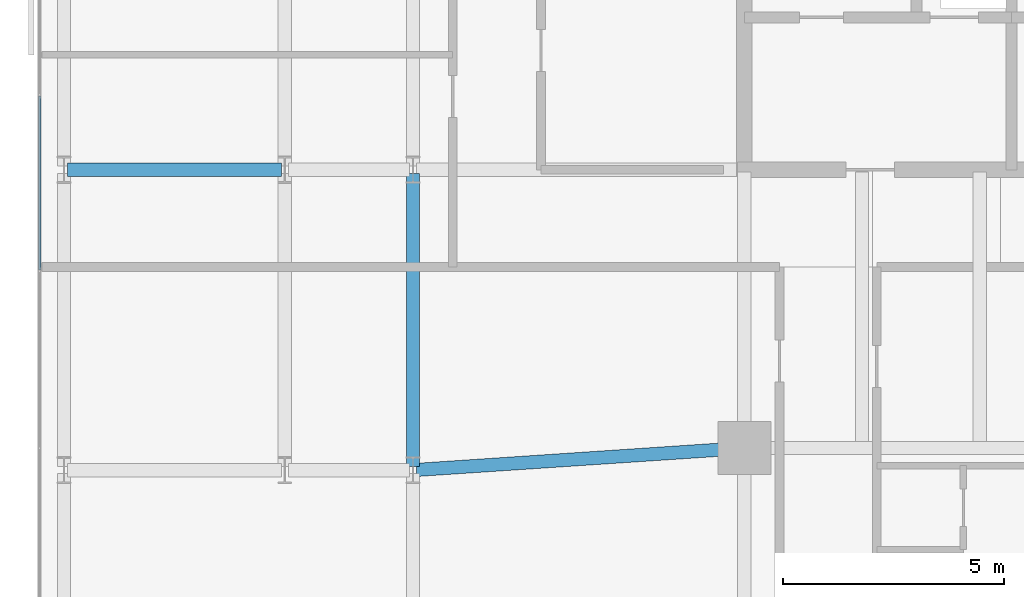
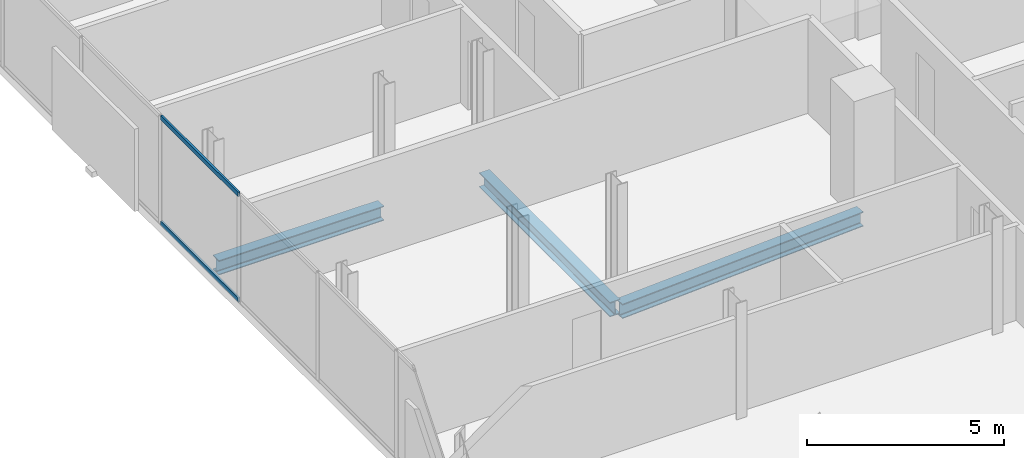
# One storey, part 10 of 32: 3 beams, 2 members, 1 element without a shape of its own.
"""IFC4 building model written with IfcOpenShell, lengths in metres."""

from ifc_helpers import new_model, si_unit, direction, frame, origin, origin_2d, place, context, subcontext, project, spatial, hollow_rectangle, i_section, extrude, material, layer, layer_set, material_profile, profile_set, type_object, element, aggregate, save


model = new_model("IFC4")

# Units and contexts
model_context = context("Model", 3, precision=1e-05, world=origin(), true_north=direction((0.0, 1.0)))
body_context = subcontext(model_context, "Body", "Model", "MODEL_VIEW")
ifc_project = project(units=[si_unit("LENGTHUNIT", "METRE"), si_unit("AREAUNIT", "SQUARE_METRE"), si_unit("VOLUMEUNIT", "CUBIC_METRE"), si_unit("PLANEANGLEUNIT", "RADIAN"), si_unit("MASSUNIT", "GRAM", prefix="KILO")], contexts=[model_context])

# Site, building, storey
site_placement = place(None, origin())
site = spatial("IfcSite", under=ifc_project, at=site_placement, CompositionType="ELEMENT")
building_placement = place(site_placement, origin())
building = spatial("IfcBuilding", under=site, at=building_placement, Name="Catumbela Crestline Tower", CompositionType="ELEMENT")
storey_placement = place(building_placement, frame((0.0, 0.0, 133.2)))
storey = spatial("IfcBuildingStorey", under=building, at=storey_placement, Name="L34", CompositionType="ELEMENT", Elevation=133.2)

# Beams
ifc_material_1 = material(Name="Structural steel S355J2", Category="steel")
ifc_material_profile_1 = material_profile(ifc_material_1, i_section(OverallWidth=0.3, OverallDepth=0.45, WebThickness=0.014, FlangeThickness=0.026, FilletRadius=0.027, at=origin_2d()), Name="HEB 450")
ifc_profile_set_1 = profile_set([ifc_material_profile_1], Name="Structural steel S355J2")
beam_type = type_object("IfcBeamType", Name="BG-HEB450", PredefinedType="BEAM", material=ifc_profile_set_1)
beam_1_placement = place(storey_placement, frame((8.5798, 24.0053, -0.485), z_axis=(0.997784796964, 0.066524423687, 0.0), x_axis=(-0.066524423687, 0.997784796964, 0.0)))
element("IfcBeam", 1, at=beam_1_placement, inside=storey, type_object=beam_type, Name="L34 Beam BM-L34-S03", PredefinedType="BEAM", context=body_context, shape_type="SweptSolid", body=[
    extrude(i_section(OverallWidth=0.3, OverallDepth=0.45, WebThickness=0.014, FlangeThickness=0.026, FilletRadius=0.027, at=origin_2d()), origin(), (0.0, 0.0, 1.0), 7.3567),
])
beam_2_placement = place(storey_placement, frame((0.68, 30.8, -0.485), z_axis=(1.0, 0.0, 0.0), x_axis=(0.0, 1.0, 0.0)))
element("IfcBeam", 2, at=beam_2_placement, inside=storey, type_object=beam_type, Name="L34 Beam BM-L34-M07", PredefinedType="BEAM", context=body_context, shape_type="SweptSolid", body=[
    extrude(i_section(OverallWidth=0.3, OverallDepth=0.45, WebThickness=0.014, FlangeThickness=0.026, FilletRadius=0.027, at=origin_2d()), origin(), (0.0, 0.0, 1.0), 4.84),
])
beam_3_placement = place(storey_placement, frame((8.5, 24.08, -0.485), z_axis=(0.0, 1.0, 0.0), x_axis=(-1.0, 0.0, 0.0)))
element("IfcBeam", 3, at=beam_3_placement, inside=storey, type_object=beam_type, Name="L34 Beam BM-L34-SN26", PredefinedType="BEAM", context=body_context, shape_type="SweptSolid", body=[
    extrude(i_section(OverallWidth=0.3, OverallDepth=0.45, WebThickness=0.014, FlangeThickness=0.026, FilletRadius=0.027, at=origin_2d()), origin(), (0.0, 0.0, 1.0), 6.64),
])

# Curtain wall, members
ifc_material_2 = material(Name="Aluminium alloy AW-6060-T66", Category="aluminium")
ifc_layer = layer(ifc_material_2, 0.18, Name="Aluminium alloy AW-6060-T66")
ifc_layer_set = layer_set([ifc_layer], Name="Aluminium alloy AW-6060-T66")
curtain_wall_type = type_object("IfcCurtainWallType", Name="CWU-Z2", PredefinedType="USERDEFINED", material=ifc_layer_set)
curtain_wall_placement = place(storey_placement, origin())
curtain_wall = element("IfcCurtainWall", 4, at=curtain_wall_placement, inside=storey, type_object=curtain_wall_type, Name="L34 Unitised Curtain Wall CW-L34-E9S1", ObjectType="UNITISED", PredefinedType="USERDEFINED")
ifc_material_profile_2 = material_profile(ifc_material_2, hollow_rectangle(XDim=0.06, YDim=0.14, WallThickness=0.004, at=origin_2d()), Name="ALU 140x60x4")
ifc_profile_set_2 = profile_set([ifc_material_profile_2], Name="Aluminium alloy AW-6060-T66")
member_type = type_object("IfcMemberType", Name="TRN-140X60", PredefinedType="USERDEFINED", material=ifc_profile_set_2)
member_1_placement = place(storey_placement, frame((0.05, 32.4675, 0.03), z_axis=(0.0, -1.0, 0.0), x_axis=(1.0, 0.0, 0.0)))
member_1 = element("IfcMember", 5, at=member_1_placement, type_object=member_type, Name="CWU-Z2 transom 4.1", ObjectType="TRANSOM", PredefinedType="USERDEFINED", context=body_context, shape_type="SweptSolid", body=[
    extrude(hollow_rectangle(XDim=0.06, YDim=0.14, WallThickness=0.004, at=origin_2d()), origin(), (0.0, 0.0, 1.0), 3.935),
])
member_2_placement = place(storey_placement, frame((0.05, 32.4675, 3.3), z_axis=(0.0, -1.0, 0.0), x_axis=(1.0, 0.0, 0.0)))
member_2 = element("IfcMember", 6, at=member_2_placement, type_object=member_type, Name="CWU-Z2 transom 4.2", ObjectType="TRANSOM", PredefinedType="USERDEFINED", context=body_context, shape_type="SweptSolid", body=[
    extrude(hollow_rectangle(XDim=0.06, YDim=0.14, WallThickness=0.004, at=origin_2d()), origin(), (0.0, 0.0, 1.0), 3.935),
])
aggregate(curtain_wall, [member_1, member_2])

save(model, "model.ifc")
